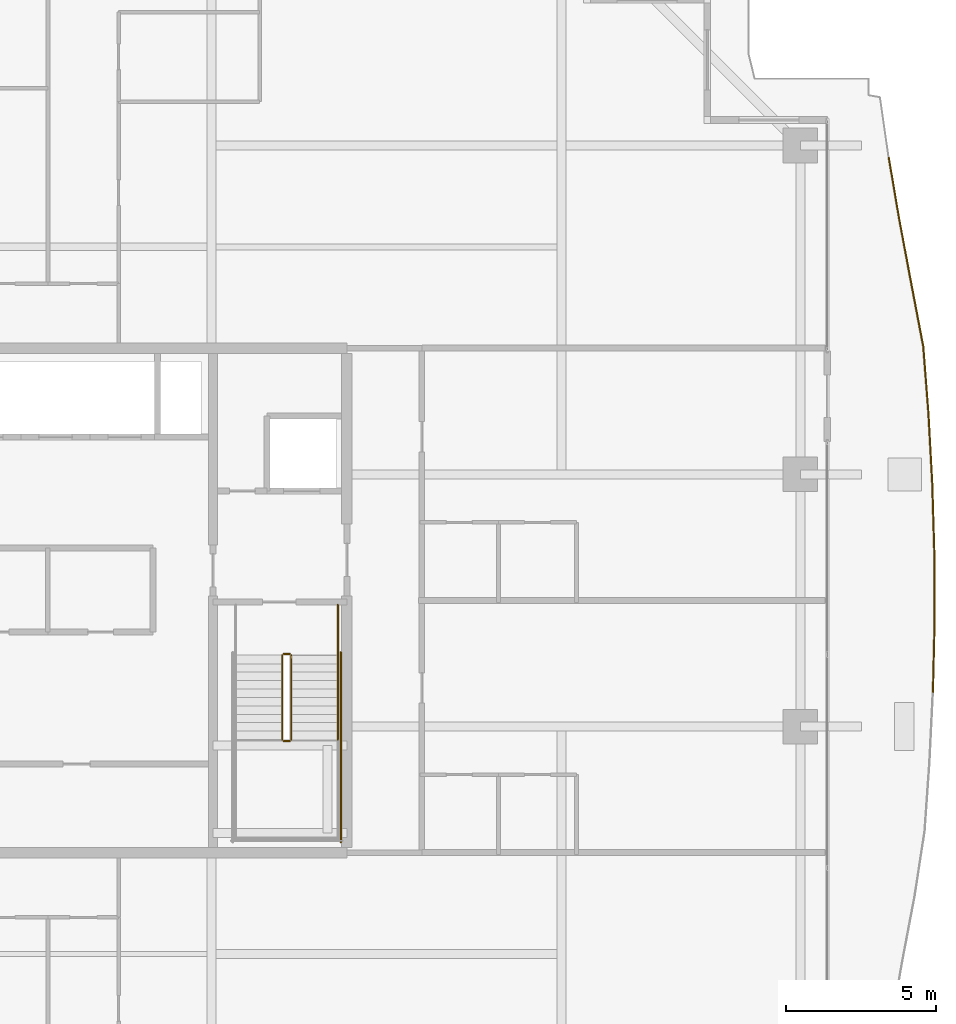
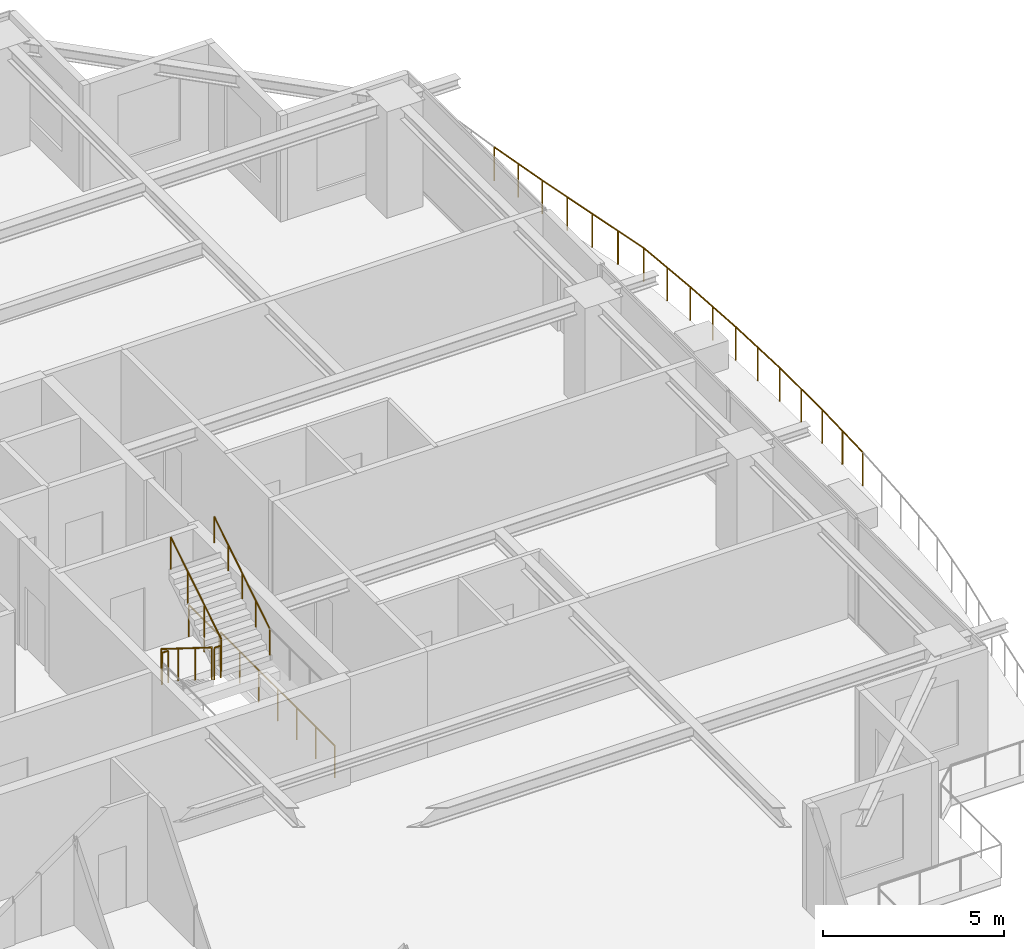
# One storey, part 37 of 38: 8 railings.
"""IFC4 building model written with IfcOpenShell, lengths in metres."""

import ifcopenshell
import ifcopenshell.guid

model = None  # the IFC model being written
_history = None  # IfcOwnerHistory: only IFC2X3 demands one
_inside = {}  # id of a spatial element -> (the spatial element, [elements in it])
_under = {}  # id of a project, library or spatial element -> (it, [spatial elements below it])
_declared = {}  # id of a project -> (the project, [libraries it declares])
_typed = {}  # id of a type object -> (the type object, [elements of that type])
_made_of = {}  # id of a material, layer set ... -> (it, [elements and type objects made of it])


def new_model(schema):
    """Start an empty IFC model of exactly this schema.

    Asked for "IFC4X3", IfcOpenShell would pick the latest addendum, in which some entities
    have other attributes; the version numbers below select the first issue.
    IFC2X3 requires an IfcOwnerHistory on every rooted entity: one is made here for all.
    """
    global model, _history
    if schema == "IFC4X3":
        model = ifcopenshell.file(schema_version=(4, 3, 0, 0))
    else:
        model = ifcopenshell.file(schema=schema)
    _inside.clear()
    _under.clear()
    _declared.clear()
    _typed.clear()
    _made_of.clear()
    _history = None
    if model.schema == "IFC2X3":
        org = make("IfcOrganization", Name="unknown")
        user = make(
            "IfcPersonAndOrganization",
            ThePerson=make("IfcPerson", FamilyName="unknown"),
            TheOrganization=org,
        )
        app = make(
            "IfcApplication",
            ApplicationDeveloper=org,
            Version="unknown",
            ApplicationFullName="unknown",
            ApplicationIdentifier="unknown",
        )
        _history = make(
            "IfcOwnerHistory",
            OwningUser=user,
            OwningApplication=app,
            ChangeAction="ADDED",
            CreationDate=0,
        )
    return model


def make(cls, **values):
    """One entity of the class cls with the attributes given. An attribute that is None is left unset."""
    return model.create_entity(
        cls, **{name: value for name, value in values.items() if value is not None}
    )


def rooted(cls, **values):
    """An entity with a GlobalId (a new one), such as an element, a storey or a relation."""
    return make(cls, GlobalId=ifcopenshell.guid.new(), OwnerHistory=_history, **values)


def si_unit(unit_type, name, prefix=None):
    """IfcSIUnit, for example si_unit("LENGTHUNIT", "METRE", prefix="MILLI")."""
    return make("IfcSIUnit", UnitType=unit_type, Prefix=prefix, Name=name)


def assignment(units):
    """IfcUnitAssignment: the units of a project."""
    return None if units is None else make("IfcUnitAssignment", Units=units)


def point(xyz):
    """IfcCartesianPoint."""
    return None if xyz is None else make("IfcCartesianPoint", Coordinates=xyz)


def direction(xyz):
    """IfcDirection."""
    return None if xyz is None else make("IfcDirection", DirectionRatios=xyz)


def frame(location, z_axis=None, x_axis=None):
    """IfcAxis2Placement3D, a coordinate frame: its origin and axes. An axis left out is left unset."""
    return make(
        "IfcAxis2Placement3D",
        Location=point(location),
        Axis=direction(z_axis),
        RefDirection=direction(x_axis),
    )


def frame_2d(location, x_axis=None):
    """IfcAxis2Placement2D, a coordinate frame in the plane: its origin and x axis."""
    return make(
        "IfcAxis2Placement2D", Location=point(location), RefDirection=direction(x_axis)
    )


def origin():
    """The frame at (0, 0, 0) with its axes left unset."""
    return frame((0.0, 0.0, 0.0))


def origin_2d():
    """The frame at (0, 0) in the plane with its x axis left unset."""
    return frame_2d((0.0, 0.0))


def place(relative_to, where):
    """IfcLocalPlacement: puts the frame where relative to a parent placement (None: the world)."""
    return make(
        "IfcLocalPlacement", PlacementRelTo=relative_to, RelativePlacement=where
    )


def context(
    kind, dimensions, precision=None, world=None, true_north=None, identifier=None
):
    """IfcGeometricRepresentationContext, for example the 3D "Model" context."""
    return make(
        "IfcGeometricRepresentationContext",
        ContextIdentifier=identifier,
        ContextType=kind,
        CoordinateSpaceDimension=dimensions,
        Precision=precision,
        WorldCoordinateSystem=world,
        TrueNorth=true_north,
    )


def subcontext(parent, identifier, kind, view, scale=None):
    """IfcGeometricRepresentationSubContext, for example "Body" below "Model"."""
    return make(
        "IfcGeometricRepresentationSubContext",
        ContextIdentifier=identifier,
        ContextType=kind,
        ParentContext=parent,
        TargetScale=scale,
        TargetView=view,
    )


def project(units=None, contexts=None):
    """IfcProject with its units and contexts."""
    return rooted(
        "IfcProject",
        Name="project",
        RepresentationContexts=contexts,
        UnitsInContext=assignment(units),
    )


def spatial(cls, under=None, at=None, **own):
    """A site, building, storey or space (cls), placed at a placement, below another one or the project."""
    s = rooted(cls, ObjectPlacement=at, **own)
    if under is not None:
        _under.setdefault(under.id(), (under, []))[1].append(s)
    return s


def profile(cls, at=None, kind="AREA", **sizes):
    """A parametric profile (cls). Its sizes go by their IFC names, for example OverallWidth=200.0."""
    return make(cls, ProfileType=kind, Position=at, **sizes)


def circle(**sizes):
    """IfcCircleProfileDef."""
    return profile("IfcCircleProfileDef", **sizes)


def extrude(swept, where, along, depth):
    """IfcExtrudedAreaSolid: the profile swept, set in the frame where, extruded along a direction by depth."""
    return make(
        "IfcExtrudedAreaSolid",
        SweptArea=swept,
        Position=where,
        ExtrudedDirection=direction(along),
        Depth=depth,
    )


def shape(context_of_items, identifier, shape_type, items):
    """IfcShapeRepresentation: the items that make up one representation, for example the "Body"."""
    return make(
        "IfcShapeRepresentation",
        ContextOfItems=context_of_items,
        RepresentationIdentifier=identifier,
        RepresentationType=shape_type,
        Items=items,
    )


def material(Name=None, Category=None):
    """IfcMaterial."""
    return make("IfcMaterial", Name=Name, Category=Category)


def made_of(thing, what):
    """Note that an element or type object is made of a material, layer set ...; save() writes the relation."""
    if what is not None:
        _made_of.setdefault(what.id(), (what, []))[1].append(thing)
    return thing


def type_object(cls, material=None, **own):
    """A type object (cls), such as IfcWallType, which elements share."""
    return made_of(rooted(cls, **own), material)


def element(
    cls,
    number,
    at=None,
    inside=None,
    cuts=None,
    type_object=None,
    material=None,
    context=None,
    identifier="Body",
    shape_type=None,
    held_by="IfcProductDefinitionShape",
    body=None,
    shapes=None,
    **own,
):
    """One element of the class cls, such as IfcWall. Its Tag is "e" and its number.

    at: its placement. inside: the storey or other place that contains it. cuts: it is an
    opening in that element (IfcRelVoidsElement). A single representation is given by context,
    identifier, shape_type and body (its items); several are given by shapes. held_by: the class
    of the entity that holds the representations. save() writes the other relations.
    """
    e = rooted(cls, Tag="e%d" % number, ObjectPlacement=at, **own)
    if body is not None:
        shapes = [shape(context, identifier, shape_type, body)]
    if shapes is not None:
        e.Representation = make(held_by, Representations=shapes)
    if inside is not None:
        _inside.setdefault(inside.id(), (inside, []))[1].append(e)
    if cuts is not None:
        rooted(
            "IfcRelVoidsElement", RelatingBuildingElement=cuts, RelatedOpeningElement=e
        )
    if type_object is not None:
        _typed.setdefault(type_object.id(), (type_object, []))[1].append(e)
    return made_of(e, material)


def aggregate(whole, parts):
    """IfcRelAggregates: a whole, such as a stair, and the parts it consists of."""
    return rooted("IfcRelAggregates", RelatingObject=whole, RelatedObjects=parts)


def save(model, path):
    """Write the relations noted so far, then the file.

    IfcRelAggregates (storeys below a building ...), IfcRelContainedInSpatialStructure (elements
    in a storey), IfcRelDefinesByType, IfcRelAssociatesMaterial and IfcRelDeclares: one each for
    every whole, place, type object, material and project.
    """
    for whole, parts in _under.values():
        aggregate(whole, parts)
    for where, things in _inside.values():
        rooted(
            "IfcRelContainedInSpatialStructure",
            RelatedElements=things,
            RelatingStructure=where,
        )
    for kind, things in _typed.values():
        rooted("IfcRelDefinesByType", RelatedObjects=things, RelatingType=kind)
    for what, things in _made_of.values():
        rooted("IfcRelAssociatesMaterial", RelatedObjects=things, RelatingMaterial=what)
    for by, libraries in _declared.values():
        rooted("IfcRelDeclares", RelatingContext=by, RelatedDefinitions=libraries)
    model.write(path)


model = new_model("IFC4")

# Units and contexts
model_context = context("Model", 3, precision=1e-05, world=origin(), true_north=direction((0.0, 1.0)))
body_context = subcontext(model_context, "Body", "Model", "MODEL_VIEW")
ifc_project = project(units=[si_unit("LENGTHUNIT", "METRE"), si_unit("AREAUNIT", "SQUARE_METRE"), si_unit("VOLUMEUNIT", "CUBIC_METRE"), si_unit("PLANEANGLEUNIT", "RADIAN"), si_unit("MASSUNIT", "GRAM", prefix="KILO")], contexts=[model_context])

# Site, building, storey
site_placement = place(None, origin())
site = spatial("IfcSite", under=ifc_project, at=site_placement, CompositionType="ELEMENT")
building_placement = place(site_placement, origin())
building = spatial("IfcBuilding", under=site, at=building_placement, Name="Serunith Strait Residences", CompositionType="ELEMENT")
storey_placement = place(building_placement, frame((0.0, 0.0, 264.35009765625)))
storey = spatial("IfcBuildingStorey", under=building, at=storey_placement, Name="L66", CompositionType="ELEMENT", Elevation=264.35009765625)

# Railings
ifc_material_1 = material(Name="Stainless Steel & Laminated Glass Balustrade", Category="steel")
railing_type_1 = type_object("IfcRailingType", Name="RLG-BALC-1150", PredefinedType="BALUSTRADE", material=ifc_material_1)
railing_1_placement = place(storey_placement, frame((59.4482421875, 39.941162109375, -0.050048828125)))
element("IfcRailing", 1, at=railing_1_placement, inside=storey, type_object=railing_type_1, Name="L66 Swirling Balcony Perimeter Balustrade 5", PredefinedType="BALUSTRADE", context=body_context, shape_type="SweptSolid", body=[
    extrude(circle(Radius=0.02392578125, at=origin_2d()), frame((0.000244140625, -0.001953125, 1.1259765625), z_axis=(0.16700947295, -0.985955291048, 0.0), x_axis=(0.985955291048, 0.16700947295, 0.0)), (0.0, 0.0, 1.0), 2.0732421875),
    extrude(circle(Radius=0.02392578125, at=origin_2d()), frame((0.347412109375, -2.050048828125, 1.1259765625), z_axis=(0.184344047009, -0.982861776819, 0.0), x_axis=(0.982861776819, 0.184344047009, 0.0)), (0.0, 0.0, 1.0), 2.120361328125),
    extrude(circle(Radius=0.02392578125, at=origin_2d()), frame((0.739013671875, -4.137939453125, 1.1259765625), z_axis=(0.187492043239, -0.98226612164, 0.0), x_axis=(0.98226612164, 0.187492043239, 0.0)), (0.0, 0.0, 1.0), 2.180908203125),
    extrude(circle(Radius=0.02392578125, at=origin_2d()), frame((1.1484375, -6.2841796875, 1.1259765625), z_axis=(0.076532103041, -0.997067117703, 0.0), x_axis=(0.997067117703, 0.076532103041, 0.0)), (0.0, 0.0, 1.0), 2.267333984375),
    extrude(circle(Radius=0.02392578125, at=origin_2d()), frame((1.322021484375, -8.548828125, 1.1259765625), z_axis=(0.054378022913, -0.998520420735, 0.0), x_axis=(0.998520420735, 0.054378022913, 0.0)), (0.0, 0.0, 1.0), 2.29931640625),
    extrude(circle(Radius=0.02392578125, at=origin_2d()), frame((1.447265625, -10.8486328125, 1.1259765625), z_axis=(0.029932992924, -0.999551907574, 0.0), x_axis=(0.999551907574, 0.029932992924, 0.0)), (0.0, 0.0, 1.0), 2.320556640625),
    extrude(circle(Radius=0.02392578125, at=origin_2d()), frame((1.516845703125, -13.172119140625, 1.1259765625), z_axis=(0.003139373395, -0.999995072155, 0.0), x_axis=(0.999995072155, 0.003139373395, 0.0)), (0.0, 0.0, 1.0), 2.3291015625),
    extrude(circle(Radius=0.02392578125, at=origin_2d()), frame((1.524169921875, -15.505126953125, 1.1259765625), z_axis=(-0.023910082638, -0.999714113108, 0.0), x_axis=(0.999714113108, -0.023910082638, 0.0)), (0.0, 0.0, 1.0), 2.323974609375),
    extrude(circle(Radius=0.02099609375, at=origin_2d()), origin(), (0.0, 0.0, 1.0), 1.099853515625),
    extrude(circle(Radius=0.02099609375, at=origin_2d()), frame((0.17333984375, -1.02392578125, 0.0)), (0.0, 0.0, 1.0), 1.099853515625),
    extrude(circle(Radius=0.02099609375, at=origin_2d()), frame((0.346923828125, -2.048095703125, 0.0)), (0.0, 0.0, 1.0), 1.099853515625),
    extrude(circle(Radius=0.02099609375, at=origin_2d()), frame((0.542724609375, -3.092041015625, 0.0)), (0.0, 0.0, 1.0), 1.099853515625),
    extrude(circle(Radius=0.02099609375, at=origin_2d()), frame((0.738525390625, -4.135986328125, 0.0)), (0.0, 0.0, 1.0), 1.099853515625),
    extrude(circle(Radius=0.02099609375, at=origin_2d()), frame((0.943359375, -5.208984375, 0.0)), (0.0, 0.0, 1.0), 1.099853515625),
    extrude(circle(Radius=0.02099609375, at=origin_2d()), frame((1.148193359375, -6.2822265625, 0.0)), (0.0, 0.0, 1.0), 1.099853515625),
    extrude(circle(Radius=0.02099609375, at=origin_2d()), frame((1.235107421875, -7.41455078125, 0.0)), (0.0, 0.0, 1.0), 1.099853515625),
    extrude(circle(Radius=0.02099609375, at=origin_2d()), frame((1.322021484375, -8.546875, 0.0)), (0.0, 0.0, 1.0), 1.099853515625),
    extrude(circle(Radius=0.02099609375, at=origin_2d()), frame((1.384765625, -9.69677734375, 0.0)), (0.0, 0.0, 1.0), 1.099853515625),
    extrude(circle(Radius=0.02099609375, at=origin_2d()), frame((1.447265625, -10.8466796875, 0.0)), (0.0, 0.0, 1.0), 1.099853515625),
    extrude(circle(Radius=0.02099609375, at=origin_2d()), frame((1.48193359375, -12.00830078125, 0.0)), (0.0, 0.0, 1.0), 1.099853515625),
    extrude(circle(Radius=0.02099609375, at=origin_2d()), frame((1.516845703125, -13.170166015625, 0.0)), (0.0, 0.0, 1.0), 1.099853515625),
    extrude(circle(Radius=0.02099609375, at=origin_2d()), frame((1.5205078125, -14.336669921875, 0.0)), (0.0, 0.0, 1.0), 1.099853515625),
    extrude(circle(Radius=0.02099609375, at=origin_2d()), frame((1.524169921875, -15.503173828125, 0.0)), (0.0, 0.0, 1.0), 1.099853515625),
    extrude(circle(Radius=0.02099609375, at=origin_2d()), frame((1.496337890625, -16.6669921875, 0.0)), (0.0, 0.0, 1.0), 1.099853515625),
    extrude(circle(Radius=0.02099609375, at=origin_2d()), frame((1.468505859375, -17.83056640625, 0.0)), (0.0, 0.0, 1.0), 1.099853515625),
])
ifc_material_2 = material(Name="Brushed stainless steel 316L", Category="steel")
railing_type_2 = type_object("IfcRailingType", Name="RLG-STAIR-GUARD", PredefinedType="BALUSTRADE", material=ifc_material_2)
railing_2_placement = place(storey_placement, frame((39.25, 23.3701171875, 0.1748046875)))
element("IfcRailing", 2, at=railing_2_placement, inside=storey, type_object=railing_type_2, Name="L66 ST-2 stair guard 1", PredefinedType="BALUSTRADE", context=body_context, shape_type="SweptSolid", body=[
    extrude(circle(Radius=0.02392578125, at=origin_2d()), frame((0.0, -0.001708984375, 1.0771484375), z_axis=(0.0, -0.848002457836, 0.529992293815), x_axis=(1.0, 0.0, 0.0)), (0.0, 0.0, 1.0), 3.2978515625),
    extrude(circle(Radius=0.02099609375, at=origin_2d()), origin(), (0.0, 0.0, 1.0), 1.050048828125),
    extrude(circle(Radius=0.02099609375, at=origin_2d()), frame((0.0, -0.933349609375, 0.583251953125)), (0.0, 0.0, 1.0), 1.050048828125),
    extrude(circle(Radius=0.02099609375, at=origin_2d()), frame((0.0, -1.86669921875, 1.166748046875)), (0.0, 0.0, 1.0), 1.050048828125),
    extrude(circle(Radius=0.02099609375, at=origin_2d()), frame((0.0, -2.800048828125, 1.75)), (0.0, 0.0, 1.0), 1.050048828125),
])
railing_3_placement = place(storey_placement, frame((39.300048828125, 20.52001953125, 1.9248046875)))
element("IfcRailing", 3, at=railing_3_placement, inside=storey, type_object=railing_type_2, Name="L66 ST-2 stair guard 2", PredefinedType="BALUSTRADE", context=body_context, shape_type="SweptSolid", body=[
    extrude(circle(Radius=0.02392578125, at=origin_2d()), frame((0.001953125, 0.0, 1.076171875), z_axis=(1.0, 0.0, 0.0), x_axis=(0.0, 1.0, 0.0)), (0.0, 0.0, 1.0), 0.196044921875),
    extrude(circle(Radius=0.02099609375, at=origin_2d()), origin(), (0.0, 0.0, 1.0), 1.050048828125),
    extrude(circle(Radius=0.02099609375, at=origin_2d()), frame((0.199951171875, 0.0, 0.0)), (0.0, 0.0, 1.0), 1.050048828125),
])
railing_4_placement = place(storey_placement, frame((39.550048828125, 20.570068359375, 2.099853515625)))
element("IfcRailing", 4, at=railing_4_placement, inside=storey, type_object=railing_type_2, Name="L66 ST-2 stair guard 6", PredefinedType="BALUSTRADE", context=body_context, shape_type="SweptSolid", body=[
    extrude(circle(Radius=0.02392578125, at=origin_2d()), frame((0.0, 0.001708984375, 1.0771484375), z_axis=(0.0, 0.848002457836, 0.529992293815), x_axis=(-1.0, 0.0, 0.0)), (0.0, 0.0, 1.0), 3.2978515625),
    extrude(circle(Radius=0.02099609375, at=origin_2d()), origin(), (0.0, 0.0, 1.0), 1.050048828125),
    extrude(circle(Radius=0.02099609375, at=origin_2d()), frame((0.0, 0.933349609375, 0.583251953125)), (0.0, 0.0, 1.0), 1.050048828125),
    extrude(circle(Radius=0.02099609375, at=origin_2d()), frame((0.0, 1.86669921875, 1.166748046875)), (0.0, 0.0, 1.0), 1.050048828125),
    extrude(circle(Radius=0.02099609375, at=origin_2d()), frame((0.0, 2.800048828125, 1.75)), (0.0, 0.0, 1.0), 1.050048828125),
])
railing_5_placement = place(storey_placement, frame((39.300048828125, 23.419921875, 0.0)))
element("IfcRailing", 5, at=railing_5_placement, inside=storey, type_object=railing_type_2, Name="L66 ST-2 stair guard 7", PredefinedType="BALUSTRADE", context=body_context, shape_type="SweptSolid", body=[
    extrude(circle(Radius=0.02392578125, at=origin_2d()), frame((0.001953125, 0.0, 1.076171875), z_axis=(1.0, 0.0, 0.0), x_axis=(0.0, 1.0, 0.0)), (0.0, 0.0, 1.0), 0.196044921875),
    extrude(circle(Radius=0.02099609375, at=origin_2d()), origin(), (0.0, 0.0, 1.0), 1.050048828125),
    extrude(circle(Radius=0.02099609375, at=origin_2d()), frame((0.199951171875, 0.0, 0.0)), (0.0, 0.0, 1.0), 1.050048828125),
])
railing_6_placement = place(storey_placement, frame((41.10009765625, 25.050048828125, 0.0)))
element("IfcRailing", 6, at=railing_6_placement, inside=storey, type_object=railing_type_2, Name="L66 ST-2 stair guard 9", PredefinedType="BALUSTRADE", context=body_context, shape_type="SweptSolid", body=[
    extrude(circle(Radius=0.02392578125, at=origin_2d()), frame((0.0, -0.001953125, 1.076171875), z_axis=(0.0, -1.0, 0.0), x_axis=(1.0, 0.0, 0.0)), (0.0, 0.0, 1.0), 1.676025390625),
    extrude(circle(Radius=0.02099609375, at=origin_2d()), origin(), (0.0, 0.0, 1.0), 1.050048828125),
    extrude(circle(Radius=0.02099609375, at=origin_2d()), frame((0.0, -0.83984375, 0.0)), (0.0, 0.0, 1.0), 1.050048828125),
    extrude(circle(Radius=0.02099609375, at=origin_2d()), frame((0.0, -1.679931640625, 0.0)), (0.0, 0.0, 1.0), 1.050048828125),
])
railing_7_placement = place(storey_placement, frame((41.199951171875, 23.469970703125, 0.0)))
element("IfcRailing", 7, at=railing_7_placement, inside=storey, type_object=railing_type_2, Name="L66 ST-2 stair guard 11", PredefinedType="BALUSTRADE", context=body_context, shape_type="SweptSolid", body=[
    extrude(circle(Radius=0.02392578125, at=origin_2d()), frame((0.0, -0.001953125, 1.076171875), z_axis=(0.0, -1.0, 0.0), x_axis=(1.0, 0.0, 0.0)), (0.0, 0.0, 1.0), 6.316162109375),
    extrude(circle(Radius=0.02099609375, at=origin_2d()), origin(), (0.0, 0.0, 1.0), 1.050048828125),
    extrude(circle(Radius=0.02099609375, at=origin_2d()), frame((0.0, -1.05322265625, 0.0)), (0.0, 0.0, 1.0), 1.050048828125),
    extrude(circle(Radius=0.02099609375, at=origin_2d()), frame((0.0, -2.106689453125, 0.0)), (0.0, 0.0, 1.0), 1.050048828125),
    extrude(circle(Radius=0.02099609375, at=origin_2d()), frame((0.0, -3.16015625, 0.0)), (0.0, 0.0, 1.0), 1.050048828125),
    extrude(circle(Radius=0.02099609375, at=origin_2d()), frame((0.0, -4.21337890625, 0.0)), (0.0, 0.0, 1.0), 1.050048828125),
    extrude(circle(Radius=0.02099609375, at=origin_2d()), frame((0.0, -5.2666015625, 0.0)), (0.0, 0.0, 1.0), 1.050048828125),
    extrude(circle(Radius=0.02099609375, at=origin_2d()), frame((0.0, -6.320068359375, 0.0)), (0.0, 0.0, 1.0), 1.050048828125),
])
railing_type_3 = type_object("IfcRailingType", Name="RLG-STAIR-HR", PredefinedType="HANDRAIL", material=ifc_material_2)
railing_8_placement = place(storey_placement, frame((41.10009765625, 20.570068359375, 2.099853515625)))
element("IfcRailing", 8, at=railing_8_placement, inside=storey, type_object=railing_type_3, Name="L66 ST-2 stair handrail 2", PredefinedType="HANDRAIL", context=body_context, shape_type="SweptSolid", body=[
    extrude(circle(Radius=0.02392578125, at=origin_2d()), frame((0.0, 0.001708984375, 0.876953125), z_axis=(0.0, 0.847375056783, 0.530994833442), x_axis=(-1.0, 0.0, 0.0)), (0.0, 0.0, 1.0), 3.630615234375),
    extrude(circle(Radius=0.02099609375, at=origin_2d()), origin(), (0.0, 0.0, 1.0), 0.849853515625),
    extrude(circle(Radius=0.02099609375, at=origin_2d()), frame((0.0, 0.77001953125, 0.482421875)), (0.0, 0.0, 1.0), 0.849853515625),
    extrude(circle(Radius=0.02099609375, at=origin_2d()), frame((0.0, 1.5400390625, 0.96484375)), (0.0, 0.0, 1.0), 0.849853515625),
    extrude(circle(Radius=0.02099609375, at=origin_2d()), frame((0.0, 2.309814453125, 1.447509765625)), (0.0, 0.0, 1.0), 0.849853515625),
    extrude(circle(Radius=0.02099609375, at=origin_2d()), frame((0.0, 3.079833984375, 1.929931640625)), (0.0, 0.0, 1.0), 0.849853515625),
])

save(model, "model.ifc")
